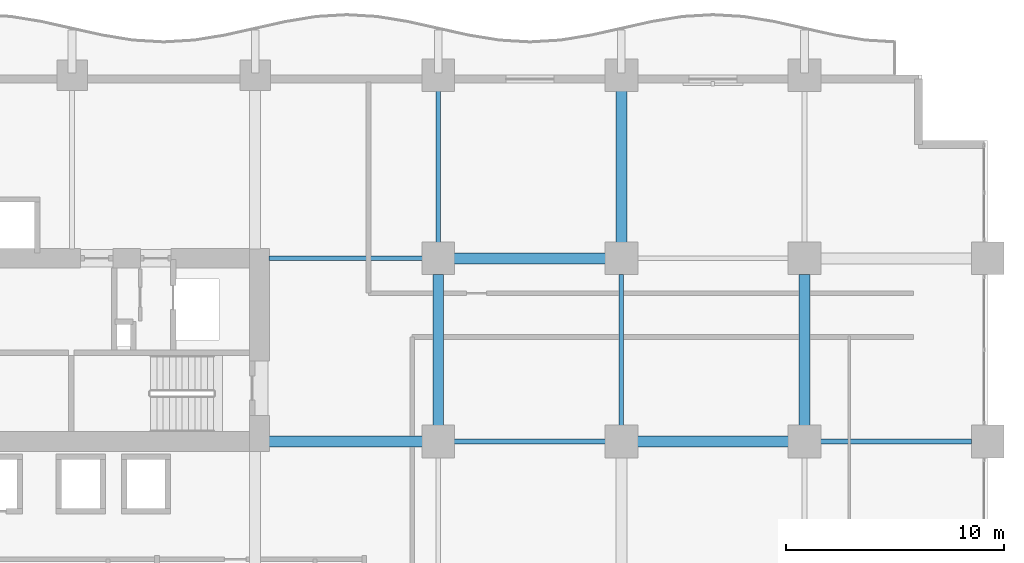
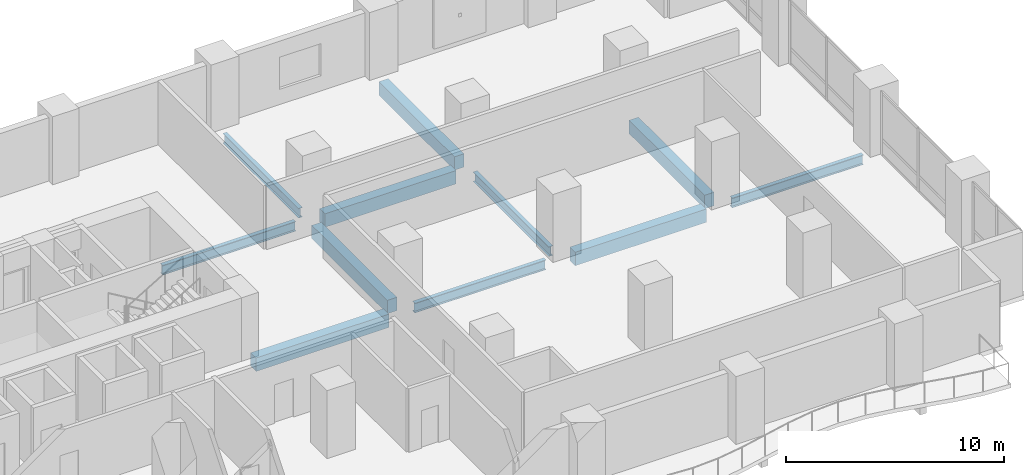
# One storey, part 5 of 27: 11 beams.
"""IFC4 building model written with IfcOpenShell, lengths in metres."""

from ifc_helpers import new_model, si_unit, direction, frame, origin, origin_2d, place, context, subcontext, project, spatial, rectangle, i_section, extrude, material, material_profile, profile_set, type_object, element, save


model = new_model("IFC4")

# Units and contexts
model_context = context("Model", 3, precision=1e-05, world=origin(), true_north=direction((0.0, 1.0)))
body_context = subcontext(model_context, "Body", "Model", "MODEL_VIEW")
ifc_project = project(units=[si_unit("LENGTHUNIT", "METRE"), si_unit("AREAUNIT", "SQUARE_METRE"), si_unit("VOLUMEUNIT", "CUBIC_METRE"), si_unit("PLANEANGLEUNIT", "RADIAN"), si_unit("MASSUNIT", "GRAM", prefix="KILO")], contexts=[model_context])

# Site, building, storey
site_placement = place(None, origin())
site = spatial("IfcSite", under=ifc_project, at=site_placement, CompositionType="ELEMENT")
building_placement = place(site_placement, origin())
building = spatial("IfcBuilding", under=site, at=building_placement, Name="Koriwani Terraces Tower", CompositionType="ELEMENT")
storey_placement = place(building_placement, frame((0.0, 0.0, 54.800048828125)))
storey = spatial("IfcBuildingStorey", under=building, at=storey_placement, Name="L12", CompositionType="ELEMENT", Elevation=54.800048828125)

# Beams
ifc_material_1 = material(Name="Concrete C50/60", Category="concrete")
ifc_material_profile_1 = material_profile(ifc_material_1, rectangle(XDim=0.5, YDim=0.75, at=origin_2d()), Name="Concrete C50/60", Category="LoadBearing")
ifc_profile_set_1 = profile_set([ifc_material_profile_1], Name="Concrete C50/60")
beam_type_1 = type_object("IfcBeamType", Name="BEAM_RC_GRID_500X750", PredefinedType="BEAM", material=ifc_profile_set_1)
beam_1_placement = place(storey_placement, frame((59.429931640625, 16.800048828125, -0.625), z_axis=(1.0, 0.0, 0.0), x_axis=(0.0, 1.0, 0.0)))
element("IfcBeam", 1, at=beam_1_placement, inside=storey, type_object=beam_type_1, Name="L12 Grid Beam C (58.8-67.2m)", PredefinedType="BEAM", context=body_context, shape_type="SweptSolid", body=[
    extrude(rectangle(XDim=0.5, YDim=0.75, at=origin_2d()), origin(), (0.0, 0.0, 1.0), 7.0400390625),
])
beam_2_placement = place(storey_placement, frame((76.330078125, 16.800048828125, -0.625), z_axis=(1.0, 0.0, 0.0), x_axis=(0.0, 1.0, 0.0)))
element("IfcBeam", 2, at=beam_2_placement, inside=storey, type_object=beam_type_1, Name="L12 Grid Beam C (75.6-84.0m)", PredefinedType="BEAM", context=body_context, shape_type="SweptSolid", body=[
    extrude(rectangle(XDim=0.5, YDim=0.75, at=origin_2d()), origin(), (0.0, 0.0, 1.0), 6.93994140625),
])
beam_3_placement = place(storey_placement, frame((67.929931640625, 25.199951171875, -0.625), z_axis=(1.0, 0.0, 0.0), x_axis=(0.0, 1.0, 0.0)))
element("IfcBeam", 3, at=beam_3_placement, inside=storey, type_object=beam_type_1, Name="L12 Grid Beam D (67.2-75.6m)", PredefinedType="BEAM", context=body_context, shape_type="SweptSolid", body=[
    extrude(rectangle(XDim=0.5, YDim=0.75, at=origin_2d()), origin(), (0.0, 0.0, 1.0), 6.940185546875),
])
beam_4_placement = place(storey_placement, frame((67.199951171875, 17.530029296875, -0.625), z_axis=(0.0, 1.0, 0.0), x_axis=(-1.0, 0.0, 0.0)))
element("IfcBeam", 4, at=beam_4_placement, inside=storey, type_object=beam_type_1, Name="L12 Grid Beam 9 (16.8-25.2m)", PredefinedType="BEAM", context=body_context, shape_type="SweptSolid", body=[
    extrude(rectangle(XDim=0.5, YDim=0.75, at=origin_2d()), origin(), (0.0, 0.0, 1.0), 6.93994140625),
])
beam_5_placement = place(storey_placement, frame((75.60009765625, 25.929931640625, -0.625), z_axis=(0.0, 1.0, 0.0), x_axis=(-1.0, 0.0, 0.0)))
element("IfcBeam", 5, at=beam_5_placement, inside=storey, type_object=beam_type_1, Name="L12 Grid Beam 10 (25.2-33.6m)", PredefinedType="BEAM", context=body_context, shape_type="SweptSolid", body=[
    extrude(rectangle(XDim=0.5, YDim=0.75, at=origin_2d()), origin(), (0.0, 0.0, 1.0), 6.940185546875),
])
beam_6_placement = place(storey_placement, frame((84.0, 17.530029296875, -0.625), z_axis=(0.0, 1.0, 0.0), x_axis=(-1.0, 0.0, 0.0)))
element("IfcBeam", 6, at=beam_6_placement, inside=storey, type_object=beam_type_1, Name="L12 Grid Beam 11 (16.8-25.2m)", PredefinedType="BEAM", context=body_context, shape_type="SweptSolid", body=[
    extrude(rectangle(XDim=0.5, YDim=0.75, at=origin_2d()), origin(), (0.0, 0.0, 1.0), 6.93994140625),
])
ifc_material_2 = material(Name="Steel ASTM A572 Grade 50", Category="steel")
ifc_material_profile_2 = material_profile(ifc_material_2, i_section(OverallWidth=0.2119140625, OverallDepth=0.54296875, WebThickness=0.0126953125, FlangeThickness=0.021240234375, at=origin_2d()), Name="Steel ASTM A572 Grade 50", Category="LoadBearing")
ifc_profile_set_2 = profile_set([ifc_material_profile_2], Name="Steel ASTM A572 Grade 50")
beam_type_2 = type_object("IfcBeamType", Name="STEEL_BEAM_W530X150", PredefinedType="BEAM", material=ifc_profile_set_2)
beam_7_placement = place(storey_placement, frame((67.929931640625, 16.800048828125, -0.521484375), z_axis=(1.0, 0.0, 0.0), x_axis=(0.0, 1.0, 0.0)))
element("IfcBeam", 7, at=beam_7_placement, inside=storey, type_object=beam_type_2, Name="L12 Grid Beam C (67.2-75.6m)", PredefinedType="BEAM", context=body_context, shape_type="SweptSolid", body=[
    extrude(i_section(OverallWidth=0.2119140625, OverallDepth=0.54296875, WebThickness=0.0126953125, FlangeThickness=0.021240234375, at=origin_2d()), origin(), (0.0, 0.0, 1.0), 6.940185546875),
])
beam_8_placement = place(storey_placement, frame((84.72998046875, 16.800048828125, -0.521484375), z_axis=(1.0, 0.0, 0.0), x_axis=(0.0, 1.0, 0.0)))
element("IfcBeam", 8, at=beam_8_placement, inside=storey, type_object=beam_type_2, Name="L12 Grid Beam C (84.0-92.4m)", PredefinedType="BEAM", context=body_context, shape_type="SweptSolid", body=[
    extrude(i_section(OverallWidth=0.2119140625, OverallDepth=0.54296875, WebThickness=0.0126953125, FlangeThickness=0.021240234375, at=origin_2d()), origin(), (0.0, 0.0, 1.0), 6.93994140625),
])
beam_9_placement = place(storey_placement, frame((59.429931640625, 25.199951171875, -0.521484375), z_axis=(1.0, 0.0, 0.0), x_axis=(0.0, 1.0, 0.0)))
element("IfcBeam", 9, at=beam_9_placement, inside=storey, type_object=beam_type_2, Name="L12 Grid Beam D (58.8-67.2m)", PredefinedType="BEAM", context=body_context, shape_type="SweptSolid", body=[
    extrude(i_section(OverallWidth=0.2119140625, OverallDepth=0.54296875, WebThickness=0.0126953125, FlangeThickness=0.021240234375, at=origin_2d()), origin(), (0.0, 0.0, 1.0), 7.0400390625),
])
beam_10_placement = place(storey_placement, frame((67.199951171875, 25.929931640625, -0.521484375), z_axis=(0.0, 1.0, 0.0), x_axis=(-1.0, 0.0, 0.0)))
element("IfcBeam", 10, at=beam_10_placement, inside=storey, type_object=beam_type_2, Name="L12 Grid Beam 9 (25.2-33.6m)", PredefinedType="BEAM", context=body_context, shape_type="SweptSolid", body=[
    extrude(i_section(OverallWidth=0.2119140625, OverallDepth=0.54296875, WebThickness=0.0126953125, FlangeThickness=0.021240234375, at=origin_2d()), origin(), (0.0, 0.0, 1.0), 6.940185546875),
])
beam_11_placement = place(storey_placement, frame((75.60009765625, 17.530029296875, -0.521484375), z_axis=(0.0, 1.0, 0.0), x_axis=(-1.0, 0.0, 0.0)))
element("IfcBeam", 11, at=beam_11_placement, inside=storey, type_object=beam_type_2, Name="L12 Grid Beam 10 (16.8-25.2m)", PredefinedType="BEAM", context=body_context, shape_type="SweptSolid", body=[
    extrude(i_section(OverallWidth=0.2119140625, OverallDepth=0.54296875, WebThickness=0.0126953125, FlangeThickness=0.021240234375, at=origin_2d()), origin(), (0.0, 0.0, 1.0), 6.93994140625),
])

save(model, "model.ifc")
